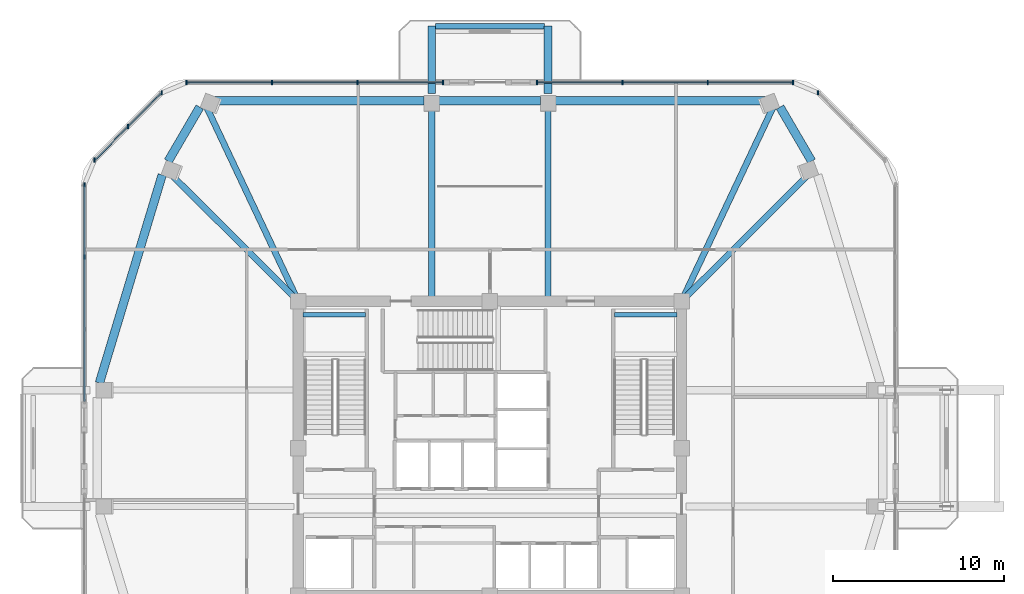
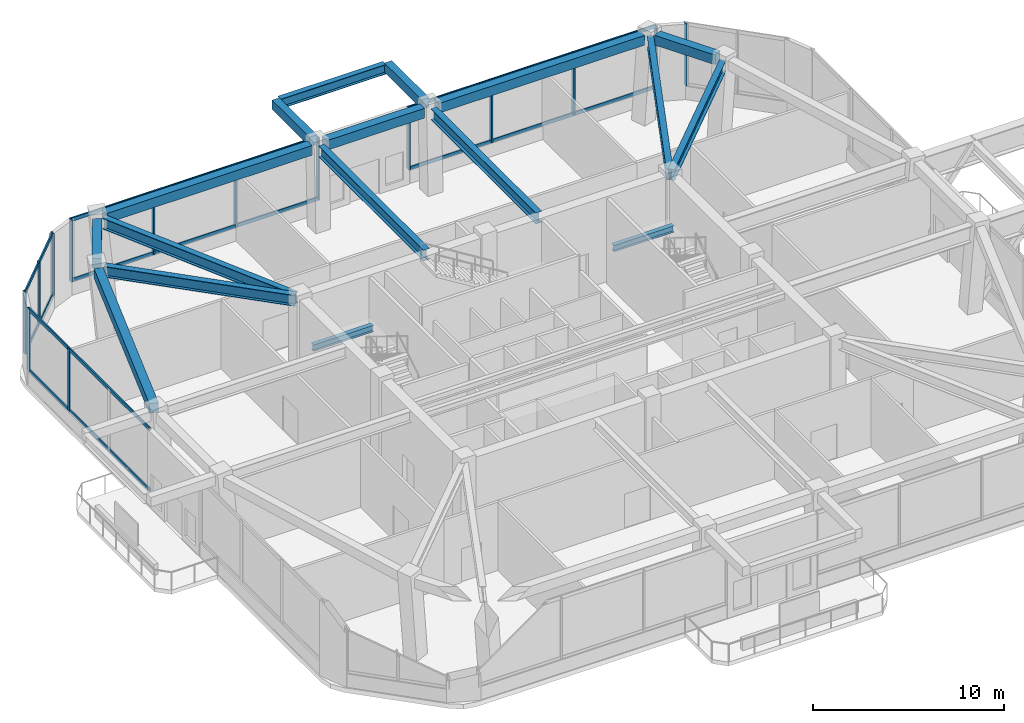
# One storey, part 4 of 14: 22 members, 17 beams, 5 elements without a shape of their own.
"""IFC4 building model written with IfcOpenShell, lengths in metres."""

from ifc_helpers import new_model, si_unit, derived_unit, direction, frame, origin, origin_2d, place, context, subcontext, project, spatial, rectangle, i_section, extrude, material, material_profile, profile_set, type_object, element, aggregate, save


model = new_model("IFC4")

# Units and contexts
model_context = context("Model", 3, precision=1e-05, world=origin(), true_north=direction((0.0, 1.0)))
body_context = subcontext(model_context, "Body", "Model", "MODEL_VIEW")
ifc_project = project(units=[si_unit("LENGTHUNIT", "METRE"), si_unit("AREAUNIT", "SQUARE_METRE"), si_unit("VOLUMEUNIT", "CUBIC_METRE"), si_unit("PLANEANGLEUNIT", "RADIAN"), si_unit("MASSUNIT", "GRAM", prefix="KILO"), derived_unit("THERMALTRANSMITTANCEUNIT", [(si_unit("POWERUNIT", "WATT"), 1), (si_unit("LENGTHUNIT", "METRE"), -2), (si_unit("THERMODYNAMICTEMPERATUREUNIT", "KELVIN"), -1)])], contexts=[model_context])

# Site, building, storey
site_placement = place(None, origin())
site = spatial("IfcSite", under=ifc_project, at=site_placement, CompositionType="ELEMENT")
building_placement = place(site_placement, origin())
building = spatial("IfcBuilding", under=site, at=building_placement, Name="Koralith Skygarden Medical Center", CompositionType="ELEMENT")
storey_placement = place(building_placement, frame((0.0, 0.0, 182.699951171875)))
storey = spatial("IfcBuildingStorey", under=building, at=storey_placement, Name="L47", CompositionType="ELEMENT", Elevation=182.699951171875)

# Curtain wall, member
ifc_material_1 = material(Name="Clear Laminated Glass", Category="glass")
curtain_wall_type = type_object("IfcCurtainWallType", Name="CW-7 Sky-Garden & Pool Conservatory Wall", PredefinedType="NOTDEFINED", material=ifc_material_1)
curtain_wall_1_placement = place(storey_placement, origin())
curtain_wall_1 = element("IfcCurtainWall", 1, at=curtain_wall_1_placement, inside=storey, type_object=curtain_wall_type, Name="Curtain Wall CW-L47-NE", PredefinedType="NOTDEFINED")
ifc_material_2 = material(Name="Aluminium 6063-T6", Category="aluminium")
ifc_material_profile_1 = material_profile(ifc_material_2, rectangle(XDim=0.0859375, YDim=0.25, at=origin_2d()), Name="MUL86X250")
ifc_profile_set_1 = profile_set([ifc_material_profile_1], Name="Aluminium 6063-T6")
member_type_1 = type_object("IfcMemberType", Name="CW-7 Extruded Mullion 86x250", PredefinedType="MULLION", material=ifc_profile_set_1)
member_1_placement = place(storey_placement, frame((56.173095703125, 46.6689453125, 0.85009765625), z_axis=(0.0, 0.0, 1.0), x_axis=(1.0, 0.0, 0.0)))
member_1 = element("IfcMember", 2, at=member_1_placement, type_object=member_type_1, Name="CW-L47-NE Mullion 3", PredefinedType="MULLION", context=body_context, shape_type="SweptSolid", body=[
    extrude(rectangle(XDim=0.0859375, YDim=0.25, at=origin_2d()), origin(), (0.0, 0.0, 1.0), 3.97998046875),
])
aggregate(curtain_wall_1, [member_1])

# Curtain wall, members
curtain_wall_2_placement = place(storey_placement, origin())
curtain_wall_2 = element("IfcCurtainWall", 3, at=curtain_wall_2_placement, inside=storey, type_object=curtain_wall_type, Name="Curtain Wall CW-L47-N-L", PredefinedType="NOTDEFINED")
member_2_placement = place(storey_placement, frame((54.721923828125, 47.27001953125, 0.85009765625), z_axis=(0.0, 0.0, 1.0), x_axis=(1.0, 0.0, 0.0)))
member_2 = element("IfcMember", 4, at=member_2_placement, type_object=member_type_1, Name="CW-L47-N-L Mullion 1", PredefinedType="MULLION", context=body_context, shape_type="SweptSolid", body=[
    extrude(rectangle(XDim=0.0859375, YDim=0.25, at=origin_2d()), origin(), (0.0, 0.0, 1.0), 3.97998046875),
])
member_3_placement = place(storey_placement, frame((49.72802734375, 47.27001953125, 0.85009765625), z_axis=(0.0, 0.0, 1.0), x_axis=(1.0, 0.0, 0.0)))
member_3 = element("IfcMember", 5, at=member_3_placement, type_object=member_type_1, Name="CW-L47-N-L Mullion 2", PredefinedType="MULLION", context=body_context, shape_type="SweptSolid", body=[
    extrude(rectangle(XDim=0.0859375, YDim=0.25, at=origin_2d()), origin(), (0.0, 0.0, 1.0), 3.97998046875),
])
member_4_placement = place(storey_placement, frame((44.735107421875, 47.27001953125, 0.85009765625), z_axis=(0.0, 0.0, 1.0), x_axis=(1.0, 0.0, 0.0)))
member_4 = element("IfcMember", 6, at=member_4_placement, type_object=member_type_1, Name="CW-L47-N-L Mullion 3", PredefinedType="MULLION", context=body_context, shape_type="SweptSolid", body=[
    extrude(rectangle(XDim=0.0859375, YDim=0.25, at=origin_2d()), origin(), (0.0, 0.0, 1.0), 3.97998046875),
])
member_5_placement = place(storey_placement, frame((39.740966796875, 47.27001953125, 0.85009765625), z_axis=(0.0, 0.0, 1.0), x_axis=(1.0, 0.0, 0.0)))
member_5 = element("IfcMember", 7, at=member_5_placement, type_object=member_type_1, Name="CW-L47-N-L Mullion 4", PredefinedType="MULLION", context=body_context, shape_type="SweptSolid", body=[
    extrude(rectangle(XDim=0.0859375, YDim=0.25, at=origin_2d()), origin(), (0.0, 0.0, 1.0), 3.97998046875),
])

curtain_wall_3_placement = place(storey_placement, origin())
curtain_wall_3 = element("IfcCurtainWall", 8, at=curtain_wall_3_placement, inside=storey, type_object=curtain_wall_type, Name="Curtain Wall CW-L47-N-R", PredefinedType="NOTDEFINED")
member_6_placement = place(storey_placement, frame((34.260986328125, 47.27001953125, 0.85009765625), z_axis=(0.0, 0.0, 1.0), x_axis=(1.0, 0.0, 0.0)))
member_6 = element("IfcMember", 9, at=member_6_placement, type_object=member_type_1, Name="CW-L47-N-R Mullion 1", PredefinedType="MULLION", context=body_context, shape_type="SweptSolid", body=[
    extrude(rectangle(XDim=0.0859375, YDim=0.25, at=origin_2d()), origin(), (0.0, 0.0, 1.0), 3.97998046875),
])
member_7_placement = place(storey_placement, frame((29.26708984375, 47.27001953125, 0.85009765625), z_axis=(0.0, 0.0, 1.0), x_axis=(1.0, 0.0, 0.0)))
member_7 = element("IfcMember", 10, at=member_7_placement, type_object=member_type_1, Name="CW-L47-N-R Mullion 2", PredefinedType="MULLION", context=body_context, shape_type="SweptSolid", body=[
    extrude(rectangle(XDim=0.0859375, YDim=0.25, at=origin_2d()), origin(), (0.0, 0.0, 1.0), 3.97998046875),
])
member_8_placement = place(storey_placement, frame((24.27197265625, 47.27001953125, 0.85009765625), z_axis=(0.0, 0.0, 1.0), x_axis=(1.0, 0.0, 0.0)))
member_8 = element("IfcMember", 11, at=member_8_placement, type_object=member_type_1, Name="CW-L47-N-R Mullion 3", PredefinedType="MULLION", context=body_context, shape_type="SweptSolid", body=[
    extrude(rectangle(XDim=0.0859375, YDim=0.25, at=origin_2d()), origin(), (0.0, 0.0, 1.0), 3.97998046875),
])
member_9_placement = place(storey_placement, frame((19.278076171875, 47.27001953125, 0.85009765625), z_axis=(0.0, 0.0, 1.0), x_axis=(1.0, 0.0, 0.0)))
member_9 = element("IfcMember", 12, at=member_9_placement, type_object=member_type_1, Name="CW-L47-N-R Mullion 4", PredefinedType="MULLION", context=body_context, shape_type="SweptSolid", body=[
    extrude(rectangle(XDim=0.0859375, YDim=0.25, at=origin_2d()), origin(), (0.0, 0.0, 1.0), 3.97998046875),
])

curtain_wall_4_placement = place(storey_placement, origin())
curtain_wall_4 = element("IfcCurtainWall", 13, at=curtain_wall_4_placement, inside=storey, type_object=curtain_wall_type, Name="Curtain Wall CW-L47-NW", PredefinedType="NOTDEFINED")
member_10_placement = place(storey_placement, frame((17.826904296875, 46.6689453125, 0.85009765625), z_axis=(0.0, 0.0, 1.0), x_axis=(1.0, 0.0, 0.0)))
member_10 = element("IfcMember", 14, at=member_10_placement, type_object=member_type_1, Name="CW-L47-NW Mullion 1", PredefinedType="MULLION", context=body_context, shape_type="SweptSolid", body=[
    extrude(rectangle(XDim=0.0859375, YDim=0.25, at=origin_2d()), origin(), (0.0, 0.0, 1.0), 3.97998046875),
])
member_11_placement = place(storey_placement, frame((15.865966796875, 44.7080078125, 0.85009765625), z_axis=(0.0, 0.0, 1.0), x_axis=(1.0, 0.0, 0.0)))
member_11 = element("IfcMember", 15, at=member_11_placement, type_object=member_type_1, Name="CW-L47-NW Mullion 2", PredefinedType="MULLION", context=body_context, shape_type="SweptSolid", body=[
    extrude(rectangle(XDim=0.0859375, YDim=0.25, at=origin_2d()), origin(), (0.0, 0.0, 1.0), 3.97998046875),
])
member_12_placement = place(storey_placement, frame((13.904052734375, 42.74609375, 0.85009765625), z_axis=(0.0, 0.0, 1.0), x_axis=(1.0, 0.0, 0.0)))
member_12 = element("IfcMember", 16, at=member_12_placement, type_object=member_type_1, Name="CW-L47-NW Mullion 3", PredefinedType="MULLION", context=body_context, shape_type="SweptSolid", body=[
    extrude(rectangle(XDim=0.0859375, YDim=0.25, at=origin_2d()), origin(), (0.0, 0.0, 1.0), 3.97998046875),
])

curtain_wall_5_placement = place(storey_placement, origin())
curtain_wall_5 = element("IfcCurtainWall", 17, at=curtain_wall_5_placement, inside=storey, type_object=curtain_wall_type, Name="Curtain Wall CW-L47-W-L", PredefinedType="NOTDEFINED")
member_13_placement = place(storey_placement, frame((13.302978515625, 41.294921875, 0.85009765625), z_axis=(0.0, 0.0, 1.0), x_axis=(1.0, 0.0, 0.0)))
member_13 = element("IfcMember", 18, at=member_13_placement, type_object=member_type_1, Name="CW-L47-W-L Mullion 1", PredefinedType="MULLION", context=body_context, shape_type="SweptSolid", body=[
    extrude(rectangle(XDim=0.0859375, YDim=0.25, at=origin_2d()), origin(), (0.0, 0.0, 1.0), 3.97998046875),
])
member_14_placement = place(storey_placement, frame((13.302978515625, 37.076904296875, 0.85009765625), z_axis=(0.0, 0.0, 1.0), x_axis=(1.0, 0.0, 0.0)))
member_14 = element("IfcMember", 19, at=member_14_placement, type_object=member_type_1, Name="CW-L47-W-L Mullion 2", PredefinedType="MULLION", context=body_context, shape_type="SweptSolid", body=[
    extrude(rectangle(XDim=0.0859375, YDim=0.25, at=origin_2d()), origin(), (0.0, 0.0, 1.0), 3.97998046875),
])

# Member
ifc_material_profile_2 = material_profile(ifc_material_2, rectangle(XDim=0.0810546875, YDim=0.22509765625, at=origin_2d()), Name="TRN81X225")
ifc_profile_set_2 = profile_set([ifc_material_profile_2], Name="Aluminium 6063-T6")
member_type_2 = type_object("IfcMemberType", Name="CW-7 Thermal Transom 81x225", PredefinedType="USERDEFINED", material=ifc_profile_set_2)
member_15_placement = place(storey_placement, frame((54.721923828125, 47.27001953125, 0.900146484375), z_axis=(-1.0, 0.0, 0.0), x_axis=(0.0, -1.0, 0.0)))
member_15 = element("IfcMember", 20, at=member_15_placement, type_object=member_type_2, Name="CW-L47-N-L Transom 1", ObjectType="TRANSOM", PredefinedType="USERDEFINED", context=body_context, shape_type="SweptSolid", body=[
    extrude(rectangle(XDim=0.0810546875, YDim=0.22509765625, at=origin_2d()), origin(), (0.0, 0.0, 1.0), 14.98095703125),
])

member_16_placement = place(storey_placement, frame((54.721923828125, 47.27001953125, 4.780029296875), z_axis=(-1.0, 0.0, 0.0), x_axis=(0.0, -1.0, 0.0)))
member_16 = element("IfcMember", 21, at=member_16_placement, type_object=member_type_2, Name="CW-L47-N-L Transom 2", ObjectType="TRANSOM", PredefinedType="USERDEFINED", context=body_context, shape_type="SweptSolid", body=[
    extrude(rectangle(XDim=0.0810546875, YDim=0.22509765625, at=origin_2d()), origin(), (0.0, 0.0, 1.0), 14.98095703125),
])

aggregate(curtain_wall_2, [member_2, member_3, member_4, member_5, member_15, member_16])

member_17_placement = place(storey_placement, frame((34.260986328125, 47.27001953125, 0.900146484375), z_axis=(-1.0, 0.0, 0.0), x_axis=(0.0, -1.0, 0.0)))
member_17 = element("IfcMember", 22, at=member_17_placement, type_object=member_type_2, Name="CW-L47-N-R Transom 1", ObjectType="TRANSOM", PredefinedType="USERDEFINED", context=body_context, shape_type="SweptSolid", body=[
    extrude(rectangle(XDim=0.0810546875, YDim=0.22509765625, at=origin_2d()), origin(), (0.0, 0.0, 1.0), 14.98291015625),
])

member_18_placement = place(storey_placement, frame((34.260986328125, 47.27001953125, 4.780029296875), z_axis=(-1.0, 0.0, 0.0), x_axis=(0.0, -1.0, 0.0)))
member_18 = element("IfcMember", 23, at=member_18_placement, type_object=member_type_2, Name="CW-L47-N-R Transom 2", ObjectType="TRANSOM", PredefinedType="USERDEFINED", context=body_context, shape_type="SweptSolid", body=[
    extrude(rectangle(XDim=0.0810546875, YDim=0.22509765625, at=origin_2d()), origin(), (0.0, 0.0, 1.0), 14.98291015625),
])

aggregate(curtain_wall_3, [member_6, member_7, member_8, member_9, member_17, member_18])

member_19_placement = place(storey_placement, frame((17.826904296875, 46.6689453125, 0.900146484375), z_axis=(-0.707106781187, -0.707106781187, 0.0), x_axis=(0.707106781187, -0.707106781187, 0.0)))
member_19 = element("IfcMember", 24, at=member_19_placement, type_object=member_type_2, Name="CW-L47-NW Transom 1", ObjectType="TRANSOM", PredefinedType="USERDEFINED", context=body_context, shape_type="SweptSolid", body=[
    extrude(rectangle(XDim=0.0810546875, YDim=0.22509765625, at=origin_2d()), origin(), (0.0, 0.0, 1.0), 5.5478515625),
])

member_20_placement = place(storey_placement, frame((17.826904296875, 46.6689453125, 4.780029296875), z_axis=(-0.707106781187, -0.707106781187, 0.0), x_axis=(0.707106781187, -0.707106781187, 0.0)))
member_20 = element("IfcMember", 25, at=member_20_placement, type_object=member_type_2, Name="CW-L47-NW Transom 2", ObjectType="TRANSOM", PredefinedType="USERDEFINED", context=body_context, shape_type="SweptSolid", body=[
    extrude(rectangle(XDim=0.0810546875, YDim=0.22509765625, at=origin_2d()), origin(), (0.0, 0.0, 1.0), 5.5478515625),
])

aggregate(curtain_wall_4, [member_10, member_11, member_12, member_19, member_20])

member_21_placement = place(storey_placement, frame((13.302978515625, 41.294921875, 0.900146484375), z_axis=(0.0, -1.0, 0.0), x_axis=(1.0, 0.0, 0.0)))
member_21 = element("IfcMember", 26, at=member_21_placement, type_object=member_type_2, Name="CW-L47-W-L Transom 1", ObjectType="TRANSOM", PredefinedType="USERDEFINED", context=body_context, shape_type="SweptSolid", body=[
    extrude(rectangle(XDim=0.0810546875, YDim=0.22509765625, at=origin_2d()), origin(), (0.0, 0.0, 1.0), 12.655029296875),
])

member_22_placement = place(storey_placement, frame((13.302978515625, 41.294921875, 4.780029296875), z_axis=(0.0, -1.0, 0.0), x_axis=(1.0, 0.0, 0.0)))
member_22 = element("IfcMember", 27, at=member_22_placement, type_object=member_type_2, Name="CW-L47-W-L Transom 2", ObjectType="TRANSOM", PredefinedType="USERDEFINED", context=body_context, shape_type="SweptSolid", body=[
    extrude(rectangle(XDim=0.0810546875, YDim=0.22509765625, at=origin_2d()), origin(), (0.0, 0.0, 1.0), 12.655029296875),
])

aggregate(curtain_wall_5, [member_13, member_14, member_21, member_22])

# Beams
ifc_material_3 = material(Name="Steel ASTM A992 Grade 50", Category="steel")
ifc_material_profile_3 = material_profile(ifc_material_3, i_section(OverallWidth=0.326904296875, OverallDepth=0.6220703125, WebThickness=0.015380859375, FlangeThickness=0.0244140625, at=origin_2d()), Name="W24X131")
ifc_profile_set_3 = profile_set([ifc_material_profile_3], Name="Steel ASTM A992 Grade 50")
beam_type_1 = type_object("IfcBeamType", Name="Cantilever Tie Beam W24X131", PredefinedType="BEAM", material=ifc_profile_set_3)
beam_1_placement = place(storey_placement, frame((33.820068359375, 50.56494140625, 5.18896484375), z_axis=(1.0, 0.0, 0.0), x_axis=(0.0, 1.0, 0.0)))
element("IfcBeam", 28, at=beam_1_placement, inside=storey, type_object=beam_type_1, Name="L48 N Balcony Tip Tie Beam", PredefinedType="BEAM", context=body_context, shape_type="SweptSolid", body=[
    extrude(i_section(OverallWidth=0.326904296875, OverallDepth=0.6220703125, WebThickness=0.015380859375, FlangeThickness=0.0244140625, at=origin_2d()), origin(), (0.0, 0.0, 1.0), 6.35986328125),
])
ifc_material_profile_4 = material_profile(ifc_material_3, i_section(OverallWidth=0.260009765625, OverallDepth=0.4150390625, WebThickness=0.010009765625, FlangeThickness=0.016845703125, at=origin_2d()), Name="W16X67")
ifc_profile_set_4 = profile_set([ifc_material_profile_4], Name="Steel ASTM A992 Grade 50")
beam_type_2 = type_object("IfcBeamType", Name="Clinical Floor Joist W16X67", PredefinedType="JOIST", material=ifc_profile_set_4)
for number, where, z_axis, x_axis, name in (
    (29, (26.080078125, 33.699951171875, 2.47314453125), (1.0, 0.0, 0.0), (0.0, 1.0, 0.0), "L47 Stair ST1 Half-Landing Support Beam 1B"),
    (30, (44.280029296875, 33.699951171875, 2.47314453125), (1.0, 0.0, 0.0), (0.0, 1.0, 0.0), "L47 Stair ST2 Half-Landing Support Beam 1B"),
):
    element("IfcBeam", number, at=place(storey_placement, frame(where, z_axis=z_axis, x_axis=x_axis)), inside=storey, type_object=beam_type_2, Name=name, PredefinedType="JOIST", context=body_context, shape_type="SweptSolid", body=[
        extrude(i_section(OverallWidth=0.260009765625, OverallDepth=0.4150390625, WebThickness=0.010009765625, FlangeThickness=0.016845703125, at=origin_2d()), origin(), (0.0, 0.0, 1.0), 3.639892578125),
    ])
ifc_material_4 = material(Name="Concrete C45/55", Category="concrete")
ifc_material_profile_5 = material_profile(ifc_material_4, rectangle(XDim=0.449951171875, YDim=0.60009765625, at=origin_2d()), Name="RCB450X600")
ifc_profile_set_5 = profile_set([ifc_material_profile_5], Name="Concrete C45/55")
beam_type_3 = type_object("IfcBeamType", Name="Planted Balcony Cantilever Beam RCB450X600", PredefinedType="BEAM", material=ifc_profile_set_5)
for number, where, z_axis, x_axis, name in (
    (31, (33.60009765625, 46.64501953125, 5.199951171875), (0.0, 1.0, 0.0), (-1.0, 0.0, 0.0), "L48 N Balcony Cantilever Beam A"),
    (32, (40.39990234375, 46.64501953125, 5.199951171875), (0.0, 1.0, 0.0), (-1.0, 0.0, 0.0), "L48 N Balcony Cantilever Beam B"),
):
    element("IfcBeam", number, at=place(storey_placement, frame(where, z_axis=z_axis, x_axis=x_axis)), inside=storey, type_object=beam_type_3, Name=name, PredefinedType="BEAM", context=body_context, shape_type="SweptSolid", body=[
        extrude(rectangle(XDim=0.449951171875, YDim=0.60009765625, at=origin_2d()), origin(), (0.0, 0.0, 1.0), 3.919921875),
    ])
ifc_material_profile_6 = material_profile(ifc_material_3, i_section(OverallWidth=0.35595703125, OverallDepth=0.700927734375, WebThickness=0.016845703125, FlangeThickness=0.02734375, at=origin_2d()), Name="W27X161")
ifc_profile_set_6 = profile_set([ifc_material_profile_6], Name="Steel ASTM A992 Grade 50")
beam_type_4 = type_object("IfcBeamType", Name="Sky-Lobby Radial Girder W27X161", PredefinedType="BEAM", material=ifc_profile_set_6)
beam_2_placement = place(storey_placement, frame((48.376953125, 34.676025390625, 5.109130859375), z_axis=(0.708226206231, 0.705985581161, 0.0), x_axis=(-0.705985581161, 0.708226206231, 0.0)))
element("IfcBeam", 33, at=beam_2_placement, inside=storey, type_object=beam_type_4, Name="L47 Radial Collector Beam RB-10", PredefinedType="BEAM", context=body_context, shape_type="SweptSolid", body=[
    extrude(i_section(OverallWidth=0.35595703125, OverallDepth=0.700927734375, WebThickness=0.016845703125, FlangeThickness=0.02734375, at=origin_2d()), origin(), (0.0, 0.0, 1.0), 10.351318359375),
])
beam_3_placement = place(storey_placement, frame((48.306884765625, 34.72607421875, 5.109130859375), z_axis=(0.426792877075, 0.904349401547, 0.0), x_axis=(-0.904349401547, 0.426792877075, 0.0)))
element("IfcBeam", 34, at=beam_3_placement, inside=storey, type_object=beam_type_4, Name="L47 Radial Collector Beam RB-11", PredefinedType="BEAM", context=body_context, shape_type="SweptSolid", body=[
    extrude(i_section(OverallWidth=0.35595703125, OverallDepth=0.700927734375, WebThickness=0.016845703125, FlangeThickness=0.02734375, at=origin_2d()), origin(), (0.0, 0.0, 1.0), 12.263916015625),
])
for number, where, z_axis, x_axis, name in (
    (35, (40.39990234375, 34.75, 5.109130859375), (0.0, 1.0, 0.0), (-1.0, 0.0, 0.0), "L47 Radial Collector Beam RB-12"),
    (36, (33.60009765625, 34.75, 5.109130859375), (0.0, 1.0, 0.0), (-1.0, 0.0, 0.0), "L47 Radial Collector Beam RB-13"),
):
    element("IfcBeam", number, at=place(storey_placement, frame(where, z_axis=z_axis, x_axis=x_axis)), inside=storey, type_object=beam_type_4, Name=name, PredefinedType="BEAM", context=body_context, shape_type="SweptSolid", body=[
        extrude(i_section(OverallWidth=0.35595703125, OverallDepth=0.700927734375, WebThickness=0.016845703125, FlangeThickness=0.02734375, at=origin_2d()), origin(), (0.0, 0.0, 1.0), 11.02490234375),
    ])
beam_4_placement = place(storey_placement, frame((25.693115234375, 34.72607421875, 5.109130859375), z_axis=(-0.426792877075, 0.904349401547, 0.0), x_axis=(-0.904349401547, -0.426792877075, 0.0)))
element("IfcBeam", 37, at=beam_4_placement, inside=storey, type_object=beam_type_4, Name="L47 Radial Collector Beam RB-14", PredefinedType="BEAM", context=body_context, shape_type="SweptSolid", body=[
    extrude(i_section(OverallWidth=0.35595703125, OverallDepth=0.700927734375, WebThickness=0.016845703125, FlangeThickness=0.02734375, at=origin_2d()), origin(), (0.0, 0.0, 1.0), 12.263916015625),
])
beam_5_placement = place(storey_placement, frame((25.623046875, 34.676025390625, 5.109130859375), z_axis=(-0.708226206231, 0.705985581161, 0.0), x_axis=(-0.705985581161, -0.708226206231, 0.0)))
element("IfcBeam", 38, at=beam_5_placement, inside=storey, type_object=beam_type_4, Name="L47 Radial Collector Beam RB-15", PredefinedType="BEAM", context=body_context, shape_type="SweptSolid", body=[
    extrude(i_section(OverallWidth=0.35595703125, OverallDepth=0.700927734375, WebThickness=0.016845703125, FlangeThickness=0.02734375, at=origin_2d()), origin(), (0.0, 0.0, 1.0), 10.351318359375),
])
ifc_material_profile_7 = material_profile(ifc_material_4, rectangle(XDim=0.5, YDim=0.6201171875, at=origin_2d()), Name="RCB500X620")
ifc_profile_set_7 = profile_set([ifc_material_profile_7], Name="Concrete C45/55")
beam_type_5 = type_object("IfcBeamType", Name="Zone 4-5 Spandrel Beam RCB500X620", PredefinedType="SPANDREL", material=ifc_profile_set_7)
beam_6_placement = place(storey_placement, frame((55.798095703125, 42.675048828125, 5.150146484375), z_axis=(-0.504662936205, 0.863316466205, 0.0), x_axis=(-0.863316466205, -0.504662936205, 0.0)))
element("IfcBeam", 39, at=beam_6_placement, inside=storey, type_object=beam_type_5, Name="L47 Perimeter Spandrel Beam SP-10", PredefinedType="SPANDREL", context=body_context, shape_type="SweptSolid", body=[
    extrude(rectangle(XDim=0.5, YDim=0.6201171875, at=origin_2d()), origin(), (0.0, 0.0, 1.0), 3.66015625),
])
beam_7_placement = place(storey_placement, frame((53.2890625, 46.215087890625, 5.150146484375), z_axis=(-1.0, 0.0, 0.0), x_axis=(0.0, -1.0, 0.0)))
element("IfcBeam", 40, at=beam_7_placement, inside=storey, type_object=beam_type_5, Name="L47 Perimeter Spandrel Beam SP-11", PredefinedType="SPANDREL", context=body_context, shape_type="SweptSolid", body=[
    extrude(rectangle(XDim=0.5, YDim=0.6201171875, at=origin_2d()), origin(), (0.0, 0.0, 1.0), 12.448974609375),
])
beam_8_placement = place(storey_placement, frame((39.9599609375, 46.215087890625, 5.150146484375), z_axis=(-1.0, 0.0, 0.0), x_axis=(0.0, -1.0, 0.0)))
element("IfcBeam", 41, at=beam_8_placement, inside=storey, type_object=beam_type_5, Name="L47 Perimeter Spandrel Beam SP-12", PredefinedType="SPANDREL", context=body_context, shape_type="SweptSolid", body=[
    extrude(rectangle(XDim=0.5, YDim=0.6201171875, at=origin_2d()), origin(), (0.0, 0.0, 1.0), 5.919921875),
])
beam_9_placement = place(storey_placement, frame((33.159912109375, 46.215087890625, 5.150146484375), z_axis=(-1.0, 0.0, 0.0), x_axis=(0.0, -1.0, 0.0)))
element("IfcBeam", 42, at=beam_9_placement, inside=storey, type_object=beam_type_5, Name="L47 Perimeter Spandrel Beam SP-13", PredefinedType="SPANDREL", context=body_context, shape_type="SweptSolid", body=[
    extrude(rectangle(XDim=0.5, YDim=0.6201171875, at=origin_2d()), origin(), (0.0, 0.0, 1.0), 12.448974609375),
])
beam_10_placement = place(storey_placement, frame((20.049072265625, 45.8349609375, 5.150146484375), z_axis=(-0.504662936205, -0.863316466205, 0.0), x_axis=(0.863316466205, -0.504662936205, 0.0)))
element("IfcBeam", 43, at=beam_10_placement, inside=storey, type_object=beam_type_5, Name="L47 Perimeter Spandrel Beam SP-14", PredefinedType="SPANDREL", context=body_context, shape_type="SweptSolid", body=[
    extrude(rectangle(XDim=0.5, YDim=0.6201171875, at=origin_2d()), origin(), (0.0, 0.0, 1.0), 3.66015625),
])
beam_11_placement = place(storey_placement, frame((17.85302734375, 41.8740234375, 5.150146484375), z_axis=(-0.288870232301, -0.957368261898, 0.0), x_axis=(0.957368261898, -0.288870232301, 0.0)))
element("IfcBeam", 44, at=beam_11_placement, inside=storey, type_object=beam_type_5, Name="L47 Perimeter Spandrel Beam SP-15", PredefinedType="SPANDREL", context=body_context, shape_type="SweptSolid", body=[
    extrude(rectangle(XDim=0.5, YDim=0.6201171875, at=origin_2d()), origin(), (0.0, 0.0, 1.0), 12.6943359375),
])

save(model, "model.ifc")
